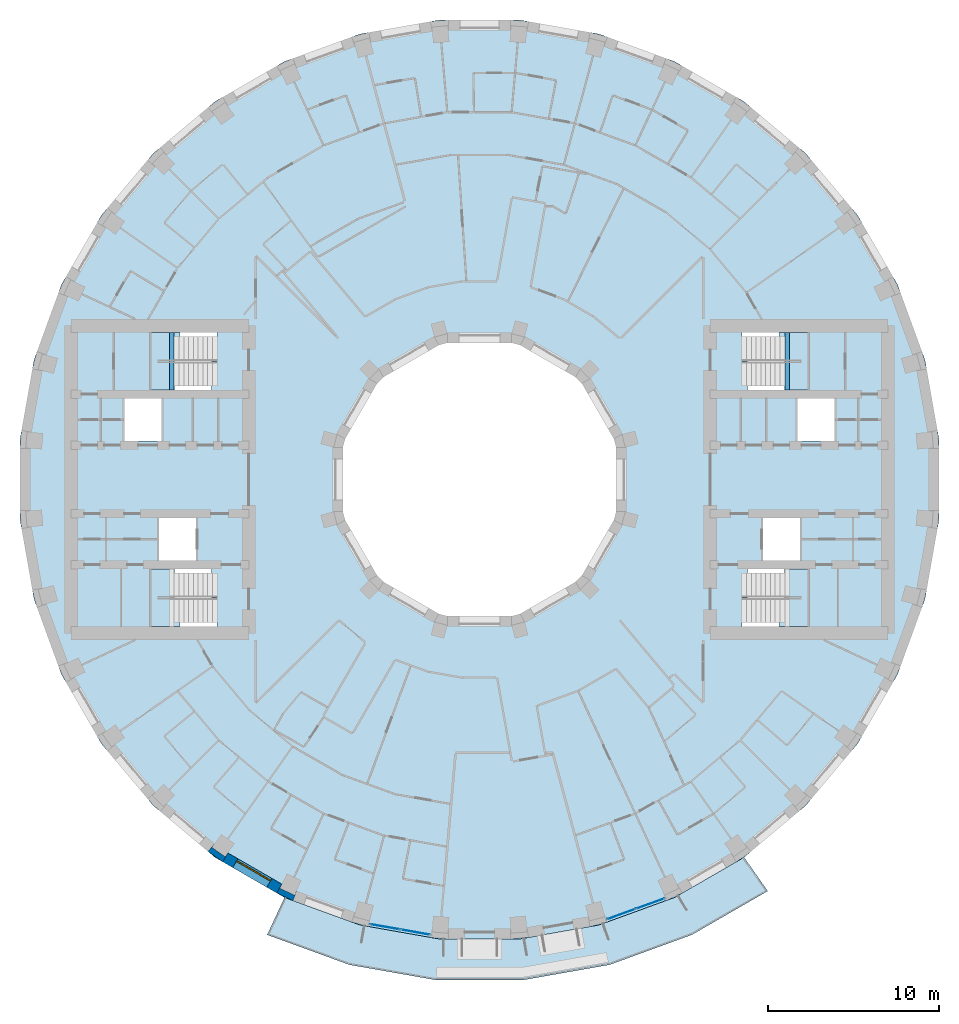
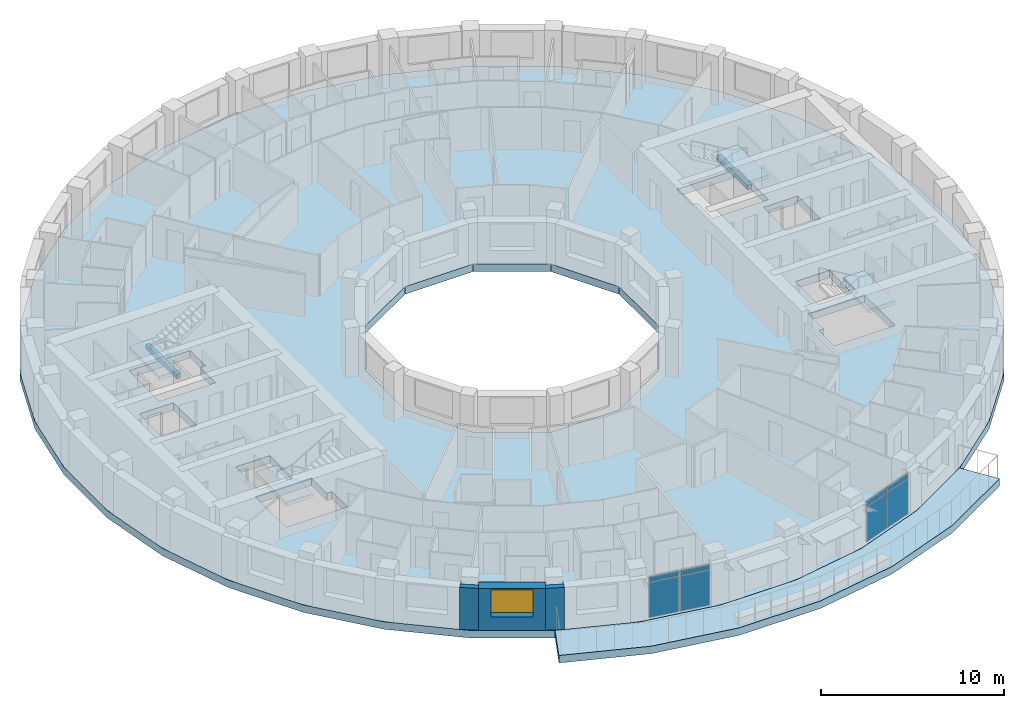
# One storey, part 4 of 16: 8 plates, 6 slabs, 3 walls, 2 beams, 1 window, 1 opening, 6 elements without a shape of their own.
"""IFC4 building model written with IfcOpenShell, lengths in metres."""

from ifc_helpers import new_model, si_unit, direction, frame, frame_2d, origin, origin_2d, place, context, subcontext, project, spatial, polyline, rectangle, outline, extrude, material, layer, layer_set, material_profile, profile_set, type_object, element, fill, aggregate, save


model = new_model("IFC4")

# Units and contexts
model_context = context("Model", 3, precision=1e-05, world=origin(), true_north=direction((0.0, 1.0)))
body_context = subcontext(model_context, "Body", "Model", "MODEL_VIEW")
ifc_project = project(units=[si_unit("LENGTHUNIT", "METRE"), si_unit("AREAUNIT", "SQUARE_METRE"), si_unit("VOLUMEUNIT", "CUBIC_METRE"), si_unit("PLANEANGLEUNIT", "RADIAN"), si_unit("MASSUNIT", "GRAM", prefix="KILO")], contexts=[model_context])

# Site, building, storey
site_placement = place(None, origin())
site = spatial("IfcSite", under=ifc_project, at=site_placement, CompositionType="ELEMENT")
building_placement = place(site_placement, origin())
building = spatial("IfcBuilding", under=site, at=building_placement, Name="Saqina Gate Tower", CompositionType="ELEMENT")
storey_placement = place(building_placement, frame((0.0, 0.0, 141.39990234375)))
storey = spatial("IfcBuildingStorey", under=building, at=storey_placement, Name="L40", CompositionType="ELEMENT", Elevation=141.39990234375)

# Beams
ifc_material_1 = material(Name="Concrete C40/50", Category="concrete")
ifc_material_profile = material_profile(ifc_material_1, rectangle(XDim=0.25, YDim=0.300048828125, at=origin_2d()), Name="STAIR LANDING BEAM")
ifc_profile_set = profile_set([ifc_material_profile], Name="Concrete C40/50")
beam_type = type_object("IfcBeamType", Name="STAIR LANDING BEAM", PredefinedType="BEAM", material=ifc_profile_set)
for number, where, z_axis, x_axis, name in (
    (1, (18.02001953125, 5.25, 1.25), (0.0, 1.0, 0.0), (-1.0, 0.0, 0.0), "EXIT STAIR 1 LANDING BEAM"),
    (2, (-18.02001953125, 5.25, 1.25), (0.0, 1.0, 0.0), (-1.0, 0.0, 0.0), "EXIT STAIR 3 LANDING BEAM"),
):
    element("IfcBeam", number, at=place(storey_placement, frame(where, z_axis=z_axis, x_axis=x_axis)), inside=storey, type_object=beam_type, Name=name, PredefinedType="BEAM", context=body_context, shape_type="SweptSolid", body=[
        extrude(rectangle(XDim=0.25, YDim=0.300048828125, at=origin_2d()), origin(), (0.0, 0.0, 1.0), 3.35009765625),
    ])

# Curtain wall, plates
ifc_material_2 = material(Name="Aluminium glazing", Category="aluminium")
ifc_layer_1 = layer(ifc_material_2, 0.159912109375)
ifc_layer_set_1 = layer_set([ifc_layer_1], Name="CWT-4")
curtain_wall_type = type_object("IfcCurtainWallType", Name="CWT-4", PredefinedType="NOTDEFINED", material=ifc_layer_set_1)
curtain_wall_1_placement = place(storey_placement, origin())
curtain_wall_1 = element("IfcCurtainWall", 3, at=curtain_wall_1_placement, inside=storey, type_object=curtain_wall_type, Name="Terrace lounge glazing facet 26", PredefinedType="NOTDEFINED")
ifc_material_3 = material(Name="Glass", Category="glass")
ifc_layer_2 = layer(ifc_material_3, 0.028076171875)
ifc_layer_set_2 = layer_set([ifc_layer_2], Name="CWT-4P")
plate_type = type_object("IfcPlateType", Name="CWT-4P", PredefinedType="CURTAIN_PANEL", material=ifc_layer_set_2)
plate_1_placement = place(storey_placement, frame((-5.52783203125, -26.18505859375, 0.06005859375), z_axis=(0.0, 0.0, 1.0), x_axis=(0.984809489664, -0.17363832834, 0.0)))
plate_1 = element("IfcPlate", 4, at=plate_1_placement, type_object=plate_type, Name="CW4-26 panel 1.1", PredefinedType="CURTAIN_PANEL", context=body_context, shape_type="SweptSolid", body=[
    extrude(rectangle(XDim=1.73388671875, YDim=0.028076171875, at=origin_2d()), origin(), (0.0, 0.0, 1.0), 2.31005859375),
])
plate_2_placement = place(storey_placement, frame((-5.52783203125, -26.18505859375, 2.43017578125), z_axis=(0.0, 0.0, 1.0), x_axis=(0.984809489664, -0.17363832834, 0.0)))
plate_2 = element("IfcPlate", 5, at=plate_2_placement, type_object=plate_type, Name="CW4-26 panel 1.2", PredefinedType="CURTAIN_PANEL", context=body_context, shape_type="SweptSolid", body=[
    extrude(rectangle(XDim=1.73388671875, YDim=0.028076171875, at=origin_2d()), origin(), (0.0, 0.0, 1.0), 0.31005859375),
])
plate_3_placement = place(storey_placement, frame((-3.76123046875, -26.49658203125, 0.06005859375), z_axis=(0.0, 0.0, 1.0), x_axis=(0.984809489664, -0.17363832834, 0.0)))
plate_3 = element("IfcPlate", 6, at=plate_3_placement, type_object=plate_type, Name="CW4-26 panel 2.1", PredefinedType="CURTAIN_PANEL", context=body_context, shape_type="SweptSolid", body=[
    extrude(rectangle(XDim=1.73388671875, YDim=0.028076171875, at=origin_2d()), origin(), (0.0, 0.0, 1.0), 2.31005859375),
])
plate_4_placement = place(storey_placement, frame((-3.76123046875, -26.49658203125, 2.43017578125), z_axis=(0.0, 0.0, 1.0), x_axis=(0.984809489664, -0.17363832834, 0.0)))
plate_4 = element("IfcPlate", 7, at=plate_4_placement, type_object=plate_type, Name="CW4-26 panel 2.2", PredefinedType="CURTAIN_PANEL", context=body_context, shape_type="SweptSolid", body=[
    extrude(rectangle(XDim=1.73388671875, YDim=0.028076171875, at=origin_2d()), origin(), (0.0, 0.0, 1.0), 0.31005859375),
])
aggregate(curtain_wall_1, [plate_1, plate_2, plate_3, plate_4])

curtain_wall_2_placement = place(storey_placement, origin())
curtain_wall_2 = element("IfcCurtainWall", 8, at=curtain_wall_2_placement, inside=storey, type_object=curtain_wall_type, Name="Terrace lounge glazing facet 29", PredefinedType="NOTDEFINED")
plate_5_placement = place(storey_placement, frame((8.30517578125, -25.44091796875, 0.06005859375), z_axis=(0.0, 0.0, 1.0), x_axis=(0.939694133483, 0.342015987197, 0.0)))
plate_5 = element("IfcPlate", 9, at=plate_5_placement, type_object=plate_type, Name="CW4-29 panel 1.1", PredefinedType="CURTAIN_PANEL", context=body_context, shape_type="SweptSolid", body=[
    extrude(rectangle(XDim=1.73388671875, YDim=0.028076171875, at=origin_2d()), origin(), (0.0, 0.0, 1.0), 2.31005859375),
])
plate_6_placement = place(storey_placement, frame((8.30517578125, -25.44091796875, 2.43017578125), z_axis=(0.0, 0.0, 1.0), x_axis=(0.939694133483, 0.342015987197, 0.0)))
plate_6 = element("IfcPlate", 10, at=plate_6_placement, type_object=plate_type, Name="CW4-29 panel 1.2", PredefinedType="CURTAIN_PANEL", context=body_context, shape_type="SweptSolid", body=[
    extrude(rectangle(XDim=1.73388671875, YDim=0.028076171875, at=origin_2d()), origin(), (0.0, 0.0, 1.0), 0.31005859375),
])
plate_7_placement = place(storey_placement, frame((9.990966796875, -24.827392578125, 0.06005859375), z_axis=(0.0, 0.0, 1.0), x_axis=(0.939694133483, 0.342015987197, 0.0)))
plate_7 = element("IfcPlate", 11, at=plate_7_placement, type_object=plate_type, Name="CW4-29 panel 2.1", PredefinedType="CURTAIN_PANEL", context=body_context, shape_type="SweptSolid", body=[
    extrude(rectangle(XDim=1.73388671875, YDim=0.028076171875, at=origin_2d()), origin(), (0.0, 0.0, 1.0), 2.31005859375),
])
plate_8_placement = place(storey_placement, frame((9.990966796875, -24.827392578125, 2.43017578125), z_axis=(0.0, 0.0, 1.0), x_axis=(0.939694133483, 0.342015987197, 0.0)))
plate_8 = element("IfcPlate", 12, at=plate_8_placement, type_object=plate_type, Name="CW4-29 panel 2.2", PredefinedType="CURTAIN_PANEL", context=body_context, shape_type="SweptSolid", body=[
    extrude(rectangle(XDim=1.73388671875, YDim=0.028076171875, at=origin_2d()), origin(), (0.0, 0.0, 1.0), 0.31005859375),
])
aggregate(curtain_wall_2, [plate_5, plate_6, plate_7, plate_8])

# Stair, slab
ifc_material_4 = material(Name="Concrete C40/50", Category="concrete")
stair_type = type_object("IfcStairType", Name="EXIT STAIR", PredefinedType="HALF_TURN_STAIR", material=ifc_material_4)
stair_1_placement = place(storey_placement, origin())
stair_1 = element("IfcStair", 13, at=stair_1_placement, inside=storey, type_object=stair_type, Name="EXIT STAIR 1", PredefinedType="HALF_TURN_STAIR")
ifc_material_5 = material(Name="Concrete C40/50", Category="concrete")
ifc_layer_3 = layer(ifc_material_5, 0.25)
ifc_layer_set_3 = layer_set([ifc_layer_3], Name="Concrete C40/50")
slab_type_1 = type_object("IfcSlabType", Name="EXIT STAIR LANDING", PredefinedType="LANDING", material=ifc_layer_set_3)
slab_1_placement = place(storey_placement, frame((0.0, 0.0, 1.400146484375)))
slab_1 = element("IfcSlab", 14, at=slab_1_placement, type_object=slab_type_1, Name="EXIT STAIR 1 LANDING 1", PredefinedType="LANDING", context=body_context, shape_type="SweptSolid", body=[
    extrude(outline(polyline([(19.219970703125, 8.60009765625), (19.219970703125, 5.25), (17.864990234375, 5.25), (17.864990234375, 6.925048828125), (17.534423828125, 6.925048828125), (17.534423828125, 8.60009765625), (17.864990234375, 8.60009765625), (17.8701171875, 8.60009765625), (19.219970703125, 8.60009765625)])), origin(), (0.0, 0.0, 1.0), 0.25),
])
aggregate(stair_1, [slab_1])

stair_2_placement = place(storey_placement, origin())
stair_2 = element("IfcStair", 15, at=stair_2_placement, inside=storey, type_object=stair_type, Name="EXIT STAIR 2", PredefinedType="HALF_TURN_STAIR")
slab_2_placement = place(storey_placement, frame((0.0, 0.0, 1.400146484375)))
slab_2 = element("IfcSlab", 16, at=slab_2_placement, type_object=slab_type_1, Name="EXIT STAIR 2 LANDING 1", PredefinedType="LANDING", context=body_context, shape_type="SweptSolid", body=[
    extrude(outline(polyline([(17.534423828125, -8.60009765625), (17.534423828125, -6.925048828125), (17.864990234375, -6.925048828125), (17.864990234375, -5.25), (19.219970703125, -5.25), (19.219970703125, -8.60009765625), (17.8701171875, -8.60009765625), (17.864990234375, -8.60009765625), (17.534423828125, -8.60009765625)])), origin(), (0.0, 0.0, 1.0), 0.25),
])
aggregate(stair_2, [slab_2])

stair_3_placement = place(storey_placement, origin())
stair_3 = element("IfcStair", 17, at=stair_3_placement, inside=storey, type_object=stair_type, Name="EXIT STAIR 3", PredefinedType="HALF_TURN_STAIR")
slab_3_placement = place(storey_placement, frame((0.0, 0.0, 1.400146484375)))
slab_3 = element("IfcSlab", 18, at=slab_3_placement, type_object=slab_type_1, Name="EXIT STAIR 3 LANDING 1", PredefinedType="LANDING", context=body_context, shape_type="SweptSolid", body=[
    extrude(outline(polyline([(-17.864990234375, 5.25), (-19.219970703125, 5.25), (-19.219970703125, 8.60009765625), (-17.8701171875, 8.60009765625), (-17.864990234375, 8.60009765625), (-17.534423828125, 8.60009765625), (-17.534423828125, 6.925048828125), (-17.864990234375, 6.925048828125), (-17.864990234375, 5.25)])), origin(), (0.0, 0.0, 1.0), 0.25),
])
aggregate(stair_3, [slab_3])

stair_4_placement = place(storey_placement, origin())
stair_4 = element("IfcStair", 19, at=stair_4_placement, inside=storey, type_object=stair_type, Name="EXIT STAIR 4", PredefinedType="HALF_TURN_STAIR")
slab_4_placement = place(storey_placement, frame((0.0, 0.0, 1.400146484375)))
slab_4 = element("IfcSlab", 20, at=slab_4_placement, type_object=slab_type_1, Name="EXIT STAIR 4 LANDING 1", PredefinedType="LANDING", context=body_context, shape_type="SweptSolid", body=[
    extrude(outline(polyline([(-17.534423828125, -6.925048828125), (-17.534423828125, -8.60009765625), (-17.864990234375, -8.60009765625), (-17.8701171875, -8.60009765625), (-19.219970703125, -8.60009765625), (-19.219970703125, -5.25), (-17.864990234375, -5.25), (-17.864990234375, -6.925048828125), (-17.534423828125, -6.925048828125)])), origin(), (0.0, 0.0, 1.0), 0.25),
])
aggregate(stair_4, [slab_4])

# Slabs
ifc_material_6 = material(Name="Concrete C40/50", Category="concrete")
ifc_layer_4 = layer(ifc_material_6, 0.5)
ifc_layer_set_4 = layer_set([ifc_layer_4], Name="Concrete C40/50")
slab_type_2 = type_object("IfcSlabType", Name="STR-POST-TENSIONED FLAT PLATE FLOOR-500", PredefinedType="FLOOR", material=ifc_layer_set_4)
slab_5_placement = place(storey_placement, frame((0.0, 0.0, -0.5)))
element("IfcSlab", 21, at=slab_5_placement, inside=storey, type_object=slab_type_2, Name="L40-SLB01", PredefinedType="FLOOR", context=body_context, shape_type="SweptSolid", body=[
    extrude(outline(polyline([(26.080078125, -6.988037109375), (26.897216796875, -2.353271484375), (26.897216796875, 2.353271484375), (26.080078125, 6.988037109375), (24.47021484375, 11.41064453125), (22.1171875, 15.486572265625), (19.091796875, 19.091796875), (15.486572265625, 22.1171875), (11.41064453125, 24.47021484375), (6.988037109375, 26.080078125), (2.353271484375, 26.897216796875), (-2.353271484375, 26.897216796875), (-6.988037109375, 26.080078125), (-11.41064453125, 24.47021484375), (-15.486572265625, 22.1171875), (-19.091796875, 19.091796875), (-22.1171875, 15.486572265625), (-24.47021484375, 11.41064453125), (-26.080078125, 6.988037109375), (-26.897216796875, 2.353271484375), (-26.897216796875, -2.353271484375), (-26.080078125, -6.988037109375), (-24.47021484375, -11.41064453125), (-22.1171875, -15.486572265625), (-19.091796875, -19.091796875), (-15.486572265625, -22.1171875), (-11.41064453125, -24.47021484375), (-6.988037109375, -26.080078125), (-2.353271484375, -26.897216796875), (2.353271484375, -26.897216796875), (6.988037109375, -26.080078125), (11.41064453125, -24.47021484375), (15.486572265625, -22.1171875), (19.091796875, -19.091796875), (22.1171875, -15.486572265625), (24.47021484375, -11.41064453125), (26.080078125, -6.988037109375)]), holes=[polyline([(2.1435546875, 8.0), (5.8564453125, 5.8564453125), (8.0, 2.1435546875), (8.0, -2.1435546875), (5.8564453125, -5.8564453125), (2.1435546875, -8.0), (-2.1435546875, -8.0), (-5.8564453125, -5.8564453125), (-8.0, -2.1435546875), (-8.0, 2.1435546875), (-5.8564453125, 5.8564453125), (-2.1435546875, 8.0), (2.1435546875, 8.0)]), polyline([(-15.35498046875, -8.60009765625), (-19.219970703125, -8.60009765625), (-19.219970703125, -6.925048828125), (-19.219970703125, -5.25), (-15.685546875, -5.25), (-15.685546875, -6.925048828125), (-15.35498046875, -6.925048828125), (-15.35498046875, -8.60009765625)]), polyline([(-16.590087890625, -2.25), (-16.590087890625, -4.75), (-18.75, -4.75), (-18.75, -2.25), (-16.590087890625, -2.25)]), polyline([(-20.780029296875, 4.75), (-18.6201171875, 4.75), (-18.6201171875, 2.25), (-20.780029296875, 2.25), (-20.780029296875, 4.75)]), polyline([(-19.219970703125, 6.925048828125), (-19.219970703125, 8.60009765625), (-15.35498046875, 8.60009765625), (-15.35498046875, 6.925048828125), (-15.685546875, 6.925048828125), (-15.685546875, 5.25), (-19.219970703125, 5.25), (-19.219970703125, 6.925048828125)]), polyline([(15.35498046875, -8.60009765625), (15.35498046875, -6.925048828125), (15.685546875, -6.925048828125), (15.685546875, -5.25), (19.219970703125, -5.25), (19.219970703125, -6.925048828125), (19.219970703125, -8.60009765625), (15.35498046875, -8.60009765625)]), polyline([(18.75, -2.25), (18.75, -4.75), (16.590087890625, -4.75), (16.590087890625, -2.25), (18.75, -2.25)]), polyline([(18.6201171875, 4.75), (20.780029296875, 4.75), (20.780029296875, 2.25), (18.6201171875, 2.25), (18.6201171875, 4.75)]), polyline([(15.685546875, 6.925048828125), (15.35498046875, 6.925048828125), (15.35498046875, 8.60009765625), (19.219970703125, 8.60009765625), (19.219970703125, 6.925048828125), (19.219970703125, 5.25), (15.685546875, 5.25), (15.685546875, 6.925048828125)])]), origin(), (0.0, 0.0, 1.0), 0.5),
])
ifc_material_7 = material(Name="Concrete C40/50", Category="concrete")
ifc_layer_5 = layer(ifc_material_7, 0.5)
ifc_layer_set_5 = layer_set([ifc_layer_5], Name="Concrete C40/50")
slab_type_3 = type_object("IfcSlabType", Name="STR-POST-TENSIONED FLAT PLATE TERRACE-500", PredefinedType="FLOOR", material=ifc_layer_set_5)
slab_6_placement = place(storey_placement, frame((0.0, 0.0, -0.5)))
element("IfcSlab", 22, at=slab_6_placement, inside=storey, type_object=slab_type_3, Name="L40-TRS01", PredefinedType="FLOOR", context=body_context, shape_type="SweptSolid", body=[
    extrude(outline(polyline([(-11.41064453125, -24.47021484375), (-6.988037109375, -26.080078125), (-2.353271484375, -26.897216796875), (2.353271484375, -26.897216796875), (6.988037109375, -26.080078125), (11.41064453125, -24.47021484375), (15.486572265625, -22.1171875), (16.868408203125, -24.090576171875), (12.428955078125, -26.65380859375), (7.611572265625, -28.406982421875), (2.563232421875, -29.29736328125), (-2.563232421875, -29.29736328125), (-7.611572265625, -28.406982421875), (-12.428955078125, -26.65380859375), (-11.41064453125, -24.47021484375)])), origin(), (0.0, 0.0, 1.0), 0.5),
])

# Walls
ifc_material_8 = material(Name="Brick masonry (buff)", Category="masonry")
wall_type_1 = type_object("IfcWallType", Name="BRICK PIER COPING BUFF", PredefinedType="SOLIDWALL", material=ifc_material_8)
wall_1_placement = place(storey_placement, origin())
element("IfcWall", 23, at=wall_1_placement, inside=storey, type_object=wall_type_1, Name="Pier cap L40 column 24", PredefinedType="SOLIDWALL", context=body_context, shape_type="SweptSolid", body=[
    extrude(outline(polyline([(-15.0283203125, -22.3818359375), (-14.728271484375, -21.862060546875), (-14.88232421875, -22.08251953125), (-15.66064453125, -21.53759765625), (-15.50634765625, -21.317138671875), (-15.89208984375, -21.77685546875), (-15.0283203125, -22.3818359375)])), origin(), (0.0, 0.0, 1.0), 2.800048828125),
])
wall_2_placement = place(storey_placement, origin())
element("IfcWall", 24, at=wall_2_placement, inside=storey, type_object=wall_type_1, Name="Pier cap L40 column 25", PredefinedType="SOLIDWALL", context=body_context, shape_type="SweptSolid", body=[
    extrude(outline(polyline([(-10.913330078125, -24.6513671875), (-10.7080078125, -24.08740234375), (-10.82177734375, -24.331298828125), (-11.6826171875, -23.9296875), (-11.569091796875, -23.68603515625), (-11.869140625, -24.205810546875), (-10.913330078125, -24.6513671875)])), origin(), (0.0, 0.0, 1.0), 2.800048828125),
])

# Wall, opening, window
ifc_material_9 = material(Name="Brick masonry (buff)", Category="masonry")
ifc_layer_6 = layer(ifc_material_9, 0.60009765625)
ifc_layer_set_6 = layer_set([ifc_layer_6], Name="FW-BRICK-BUFF")
wall_type_2 = type_object("IfcWallType", Name="FW-BRICK-BUFF", PredefinedType="SOLIDWALL", material=ifc_layer_set_6)
wall_3_placement = place(storey_placement, frame((-14.878173828125, -22.1220703125, 0.0), z_axis=(0.0, 0.0, 1.0), x_axis=(0.866051847062, -0.499954196102, 0.0)))
wall_3 = element("IfcWall", 25, at=wall_3_placement, inside=storey, type_object=wall_type_2, Name="Facade wall L40 facet 24", PredefinedType="SOLIDWALL", context=body_context, shape_type="SweptSolid", body=[
    extrude(rectangle(XDim=3.647705078125, YDim=0.60009765625, at=frame_2d((1.82373046875, 0.0))), origin(), (0.0, 0.0, 1.0), 2.800048828125),
])
opening_placement = place(wall_3_placement, frame((0.673828125, 0.0, 0.89990234375)))
opening = element("IfcOpeningElement", 26, at=opening_placement, cuts=wall_3, Name="Opening G12-W17", PredefinedType="OPENING", context=body_context, shape_type="SweptSolid", body=[
    extrude(rectangle(XDim=2.300048828125, YDim=1.800048828125, at=frame_2d((1.14990234375, 0.89990234375))), frame((0.0, 0.31201171875, 0.0), z_axis=(0.0, -1.0, 0.0), x_axis=(1.0, 0.0, 0.0)), (0.0, 0.0, 1.0), 0.6240234375),
])
ifc_material_10 = material(Name="Aluminium glazing", Category="aluminium")
window_type = type_object("IfcWindowType", Name="WN-B", PartitioningType="SINGLE_PANEL", PredefinedType="WINDOW", material=ifc_material_10)
window_placement = place(opening_placement, origin())
window = element("IfcWindow", 27, at=window_placement, inside=storey, type_object=window_type, Name="Window L40 facet 24", OverallHeight=1.800048828125, OverallWidth=2.300048828125, PartitioningType="SINGLE_PANEL", PredefinedType="WINDOW", context=body_context, shape_type="SweptSolid", body=[
    extrude(rectangle(XDim=2.300048828125, YDim=1.800048828125, at=frame_2d((1.14990234375, 0.89990234375))), frame((0.0, 0.179931640625, 0.0), z_axis=(0.0, -1.0, 0.0), x_axis=(1.0, 0.0, 0.0)), (0.0, 0.0, 1.0), 0.06005859375),
])
fill(opening, window)

save(model, "model.ifc")
